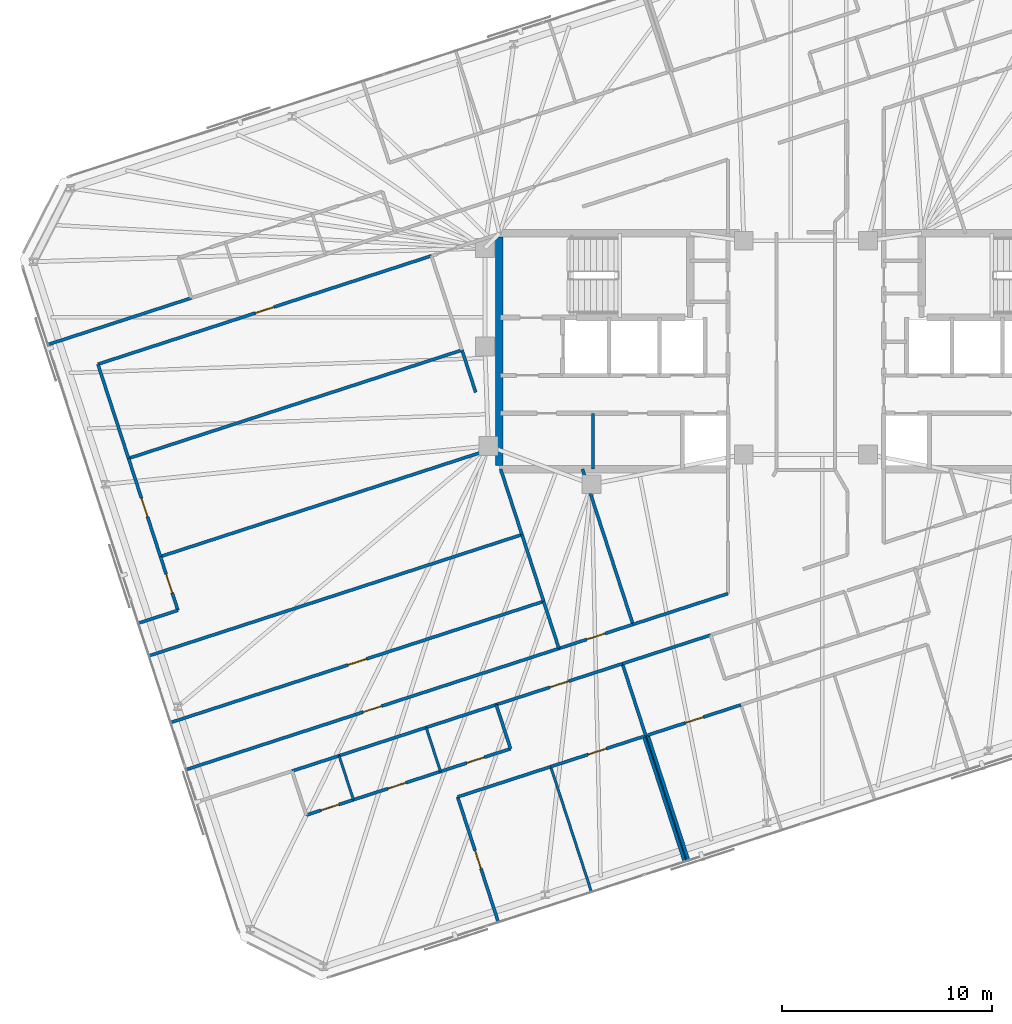
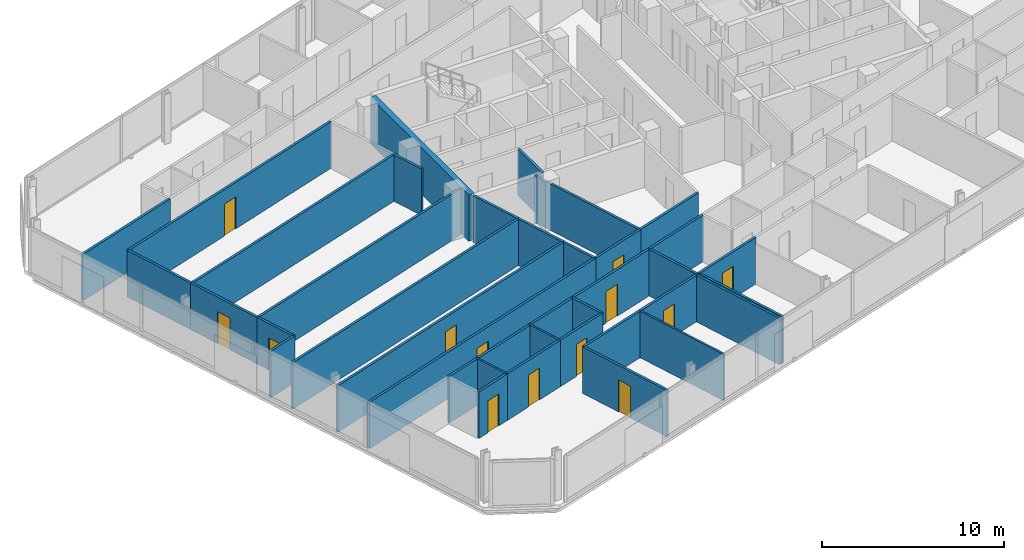
# One storey, part 13 of 20: 39 walls, 13 doors, 13 openings.
"""IFC4 building model written with IfcOpenShell, lengths in metres."""

import ifcopenshell
import ifcopenshell.guid

model = None  # the IFC model being written
_history = None  # IfcOwnerHistory: only IFC2X3 demands one
_inside = {}  # id of a spatial element -> (the spatial element, [elements in it])
_under = {}  # id of a project, library or spatial element -> (it, [spatial elements below it])
_declared = {}  # id of a project -> (the project, [libraries it declares])
_typed = {}  # id of a type object -> (the type object, [elements of that type])
_made_of = {}  # id of a material, layer set ... -> (it, [elements and type objects made of it])


def new_model(schema):
    """Start an empty IFC model of exactly this schema.

    Asked for "IFC4X3", IfcOpenShell would pick the latest addendum, in which some entities
    have other attributes; the version numbers below select the first issue.
    IFC2X3 requires an IfcOwnerHistory on every rooted entity: one is made here for all.
    """
    global model, _history
    if schema == "IFC4X3":
        model = ifcopenshell.file(schema_version=(4, 3, 0, 0))
    else:
        model = ifcopenshell.file(schema=schema)
    _inside.clear()
    _under.clear()
    _declared.clear()
    _typed.clear()
    _made_of.clear()
    _history = None
    if model.schema == "IFC2X3":
        org = make("IfcOrganization", Name="unknown")
        user = make(
            "IfcPersonAndOrganization",
            ThePerson=make("IfcPerson", FamilyName="unknown"),
            TheOrganization=org,
        )
        app = make(
            "IfcApplication",
            ApplicationDeveloper=org,
            Version="unknown",
            ApplicationFullName="unknown",
            ApplicationIdentifier="unknown",
        )
        _history = make(
            "IfcOwnerHistory",
            OwningUser=user,
            OwningApplication=app,
            ChangeAction="ADDED",
            CreationDate=0,
        )
    return model


def make(cls, **values):
    """One entity of the class cls with the attributes given. An attribute that is None is left unset."""
    return model.create_entity(
        cls, **{name: value for name, value in values.items() if value is not None}
    )


def rooted(cls, **values):
    """An entity with a GlobalId (a new one), such as an element, a storey or a relation."""
    return make(cls, GlobalId=ifcopenshell.guid.new(), OwnerHistory=_history, **values)


def si_unit(unit_type, name, prefix=None):
    """IfcSIUnit, for example si_unit("LENGTHUNIT", "METRE", prefix="MILLI")."""
    return make("IfcSIUnit", UnitType=unit_type, Prefix=prefix, Name=name)


def assignment(units):
    """IfcUnitAssignment: the units of a project."""
    return None if units is None else make("IfcUnitAssignment", Units=units)


def point(xyz):
    """IfcCartesianPoint."""
    return None if xyz is None else make("IfcCartesianPoint", Coordinates=xyz)


def direction(xyz):
    """IfcDirection."""
    return None if xyz is None else make("IfcDirection", DirectionRatios=xyz)


def frame(location, z_axis=None, x_axis=None):
    """IfcAxis2Placement3D, a coordinate frame: its origin and axes. An axis left out is left unset."""
    return make(
        "IfcAxis2Placement3D",
        Location=point(location),
        Axis=direction(z_axis),
        RefDirection=direction(x_axis),
    )


def frame_2d(location, x_axis=None):
    """IfcAxis2Placement2D, a coordinate frame in the plane: its origin and x axis."""
    return make(
        "IfcAxis2Placement2D", Location=point(location), RefDirection=direction(x_axis)
    )


def origin():
    """The frame at (0, 0, 0) with its axes left unset."""
    return frame((0.0, 0.0, 0.0))


def place(relative_to, where):
    """IfcLocalPlacement: puts the frame where relative to a parent placement (None: the world)."""
    return make(
        "IfcLocalPlacement", PlacementRelTo=relative_to, RelativePlacement=where
    )


def context(
    kind, dimensions, precision=None, world=None, true_north=None, identifier=None
):
    """IfcGeometricRepresentationContext, for example the 3D "Model" context."""
    return make(
        "IfcGeometricRepresentationContext",
        ContextIdentifier=identifier,
        ContextType=kind,
        CoordinateSpaceDimension=dimensions,
        Precision=precision,
        WorldCoordinateSystem=world,
        TrueNorth=true_north,
    )


def subcontext(parent, identifier, kind, view, scale=None):
    """IfcGeometricRepresentationSubContext, for example "Body" below "Model"."""
    return make(
        "IfcGeometricRepresentationSubContext",
        ContextIdentifier=identifier,
        ContextType=kind,
        ParentContext=parent,
        TargetScale=scale,
        TargetView=view,
    )


def project(units=None, contexts=None):
    """IfcProject with its units and contexts."""
    return rooted(
        "IfcProject",
        Name="project",
        RepresentationContexts=contexts,
        UnitsInContext=assignment(units),
    )


def spatial(cls, under=None, at=None, **own):
    """A site, building, storey or space (cls), placed at a placement, below another one or the project."""
    s = rooted(cls, ObjectPlacement=at, **own)
    if under is not None:
        _under.setdefault(under.id(), (under, []))[1].append(s)
    return s


def profile(cls, at=None, kind="AREA", **sizes):
    """A parametric profile (cls). Its sizes go by their IFC names, for example OverallWidth=200.0."""
    return make(cls, ProfileType=kind, Position=at, **sizes)


def rectangle(**sizes):
    """IfcRectangleProfileDef."""
    return profile("IfcRectangleProfileDef", **sizes)


def extrude(swept, where, along, depth):
    """IfcExtrudedAreaSolid: the profile swept, set in the frame where, extruded along a direction by depth."""
    return make(
        "IfcExtrudedAreaSolid",
        SweptArea=swept,
        Position=where,
        ExtrudedDirection=direction(along),
        Depth=depth,
    )


def shape(context_of_items, identifier, shape_type, items):
    """IfcShapeRepresentation: the items that make up one representation, for example the "Body"."""
    return make(
        "IfcShapeRepresentation",
        ContextOfItems=context_of_items,
        RepresentationIdentifier=identifier,
        RepresentationType=shape_type,
        Items=items,
    )


def material(Name=None, Category=None):
    """IfcMaterial."""
    return make("IfcMaterial", Name=Name, Category=Category)


def layer(
    of_material, thickness, ventilated=None, Name=None, Category=None, Priority=None
):
    """IfcMaterialLayer: one layer of a wall or slab, of a material (None: an air gap)."""
    return make(
        "IfcMaterialLayer",
        Material=of_material,
        LayerThickness=thickness,
        IsVentilated=ventilated,
        Name=Name,
        Category=Category,
        Priority=Priority,
    )


def layer_set(layers, Name=None):
    """IfcMaterialLayerSet."""
    return make("IfcMaterialLayerSet", MaterialLayers=layers, LayerSetName=Name)


def made_of(thing, what):
    """Note that an element or type object is made of a material, layer set ...; save() writes the relation."""
    if what is not None:
        _made_of.setdefault(what.id(), (what, []))[1].append(thing)
    return thing


def type_object(cls, material=None, **own):
    """A type object (cls), such as IfcWallType, which elements share."""
    return made_of(rooted(cls, **own), material)


def element(
    cls,
    number,
    at=None,
    inside=None,
    cuts=None,
    type_object=None,
    material=None,
    context=None,
    identifier="Body",
    shape_type=None,
    held_by="IfcProductDefinitionShape",
    body=None,
    shapes=None,
    **own,
):
    """One element of the class cls, such as IfcWall. Its Tag is "e" and its number.

    at: its placement. inside: the storey or other place that contains it. cuts: it is an
    opening in that element (IfcRelVoidsElement). A single representation is given by context,
    identifier, shape_type and body (its items); several are given by shapes. held_by: the class
    of the entity that holds the representations. save() writes the other relations.
    """
    e = rooted(cls, Tag="e%d" % number, ObjectPlacement=at, **own)
    if body is not None:
        shapes = [shape(context, identifier, shape_type, body)]
    if shapes is not None:
        e.Representation = make(held_by, Representations=shapes)
    if inside is not None:
        _inside.setdefault(inside.id(), (inside, []))[1].append(e)
    if cuts is not None:
        rooted(
            "IfcRelVoidsElement", RelatingBuildingElement=cuts, RelatedOpeningElement=e
        )
    if type_object is not None:
        _typed.setdefault(type_object.id(), (type_object, []))[1].append(e)
    return made_of(e, material)


def fill(opening, filler):
    """IfcRelFillsElement: the door or window that sits in an opening."""
    return rooted(
        "IfcRelFillsElement",
        RelatingOpeningElement=opening,
        RelatedBuildingElement=filler,
    )


def aggregate(whole, parts):
    """IfcRelAggregates: a whole, such as a stair, and the parts it consists of."""
    return rooted("IfcRelAggregates", RelatingObject=whole, RelatedObjects=parts)


def save(model, path):
    """Write the relations noted so far, then the file.

    IfcRelAggregates (storeys below a building ...), IfcRelContainedInSpatialStructure (elements
    in a storey), IfcRelDefinesByType, IfcRelAssociatesMaterial and IfcRelDeclares: one each for
    every whole, place, type object, material and project.
    """
    for whole, parts in _under.values():
        aggregate(whole, parts)
    for where, things in _inside.values():
        rooted(
            "IfcRelContainedInSpatialStructure",
            RelatedElements=things,
            RelatingStructure=where,
        )
    for kind, things in _typed.values():
        rooted("IfcRelDefinesByType", RelatedObjects=things, RelatingType=kind)
    for what, things in _made_of.values():
        rooted("IfcRelAssociatesMaterial", RelatedObjects=things, RelatingMaterial=what)
    for by, libraries in _declared.values():
        rooted("IfcRelDeclares", RelatingContext=by, RelatedDefinitions=libraries)
    model.write(path)


model = new_model("IFC4")

# Units and contexts
model_context = context("Model", 3, precision=1e-05, world=origin(), true_north=direction((0.0, 1.0)))
body_context = subcontext(model_context, "Body", "Model", "MODEL_VIEW")
ifc_project = project(units=[si_unit("LENGTHUNIT", "METRE"), si_unit("AREAUNIT", "SQUARE_METRE"), si_unit("VOLUMEUNIT", "CUBIC_METRE"), si_unit("PLANEANGLEUNIT", "RADIAN"), si_unit("MASSUNIT", "GRAM", prefix="KILO")], contexts=[model_context])

# Site, building, storey
site_placement = place(None, origin())
site = spatial("IfcSite", under=ifc_project, at=site_placement, CompositionType="ELEMENT")
building_placement = place(site_placement, origin())
building = spatial("IfcBuilding", under=site, at=building_placement, Name="Menara Jurai Vektor", CompositionType="ELEMENT")
storey_placement = place(building_placement, frame((0.0, 0.0, 247.75)))
storey = spatial("IfcBuildingStorey", under=building, at=storey_placement, Name="L66", CompositionType="ELEMENT", Elevation=247.75)

# Walls
ifc_material_1 = material(Name="Gypsum Fireboard Partition", Category="gypsum")
ifc_layer_1 = layer(ifc_material_1, 0.14990234375)
ifc_layer_set_1 = layer_set([ifc_layer_1], Name="Gypsum Fireboard Partition")
wall_type_1 = type_object("IfcWallType", Name="INT-WALL-CORR-150", PredefinedType="PARTITIONING", material=ifc_layer_set_1)
wall_1_placement = place(storey_placement, frame((-10.1201171875, -5.60009765625, 0.0), z_axis=(0.0, 0.0, 1.0), x_axis=(0.0, 1.0, 0.0)))
element("IfcWall", 1, at=wall_1_placement, inside=storey, type_object=wall_type_1, Name="Interior Wall IW-150 L66", PredefinedType="PARTITIONING", context=body_context, shape_type="SweptSolid", body=[
    extrude(rectangle(XDim=2.650146484375, YDim=0.14990234375, at=frame_2d((1.3251953125, 0.0))), origin(), (0.0, 0.0, 1.0), 3.125),
])
wall_2_placement = place(storey_placement, frame((-36.01220703125, 0.314208984375, 0.0), z_axis=(0.0, 0.0, 1.0), x_axis=(0.951054850325, 0.309022121658, 0.0)))
element("IfcWall", 2, at=wall_2_placement, inside=storey, type_object=wall_type_1, Name="Interior Wall IW-150 L66", PredefinedType="PARTITIONING", context=body_context, shape_type="SweptSolid", body=[
    extrude(rectangle(XDim=7.164794921875, YDim=0.14990234375, at=frame_2d((3.58251953125, 0.0))), origin(), (0.0, 0.0, 1.0), 3.125),
])

# Wall, opening, door
wall_3_placement = place(storey_placement, frame((-14.708740234375, -16.794189453125, 0.0), z_axis=(0.0, 0.0, 1.0), x_axis=(0.951050295235, 0.309036140172, 0.0)))
wall_3 = element("IfcWall", 3, at=wall_3_placement, inside=storey, type_object=wall_type_1, Name="Interior Wall IW-150 L66", PredefinedType="PARTITIONING", context=body_context, shape_type="SweptSolid", body=[
    extrude(rectangle(XDim=6.302001953125, YDim=0.14990234375, at=frame_2d((3.15087890625, 0.0))), origin(), (0.0, 0.0, 1.0), 3.125),
])
opening_1_placement = place(wall_3_placement, frame((2.676025390625, 0.0, 0.0)))
opening_1 = element("IfcOpeningElement", 4, at=opening_1_placement, cuts=wall_3, Name="Opening D66-23", PredefinedType="OPENING", context=body_context, shape_type="SweptSolid", body=[
    extrude(rectangle(XDim=0.949951171875, YDim=2.14990234375, at=frame_2d((0.47509765625, 1.074951171875))), frame((0.0, 0.0849609375, 0.0), z_axis=(0.0, -1.0, 0.0), x_axis=(1.0, 0.0, 0.0)), (0.0, 0.0, 1.0), 0.169921875),
])
ifc_material_2 = material(Name="Solid Core Timber Fire Door", Category="wood")
door_type_1 = type_object("IfcDoorType", Name="DR-ENTRY-950", OperationType="NOTDEFINED", PredefinedType="DOOR", material=ifc_material_2)
door_1_placement = place(opening_1_placement, origin())
door_1 = element("IfcDoor", 5, at=door_1_placement, inside=storey, type_object=door_type_1, Name="Interior Door D66-23", OperationType="SINGLE_SWING_LEFT", OverallHeight=2.14990234375, OverallWidth=0.949951171875, PredefinedType="DOOR", context=body_context, shape_type="SweptSolid", body=[
    extrude(rectangle(XDim=0.949951171875, YDim=2.14990234375, at=frame_2d((0.47509765625, 1.074951171875))), frame((0.0, 0.02490234375, 0.0), z_axis=(0.0, -1.0, 0.0), x_axis=(1.0, 0.0, 0.0)), (0.0, 0.0, 1.0), 0.050048828125),
])
fill(opening_1, door_1)

# Walls
wall_4_placement = place(storey_placement, frame((-24.40966796875, -19.946044921875, 0.0), z_axis=(0.0, 0.0, 1.0), x_axis=(0.951076048914, 0.308956872689, 0.0)))
element("IfcWall", 6, at=wall_4_placement, inside=storey, type_object=wall_type_1, Name="Interior Wall IW-150 L66", PredefinedType="PARTITIONING", context=body_context, shape_type="SweptSolid", body=[
    extrude(rectangle(XDim=2.35009765625, YDim=0.14990234375, at=frame_2d((1.175048828125, 0.0))), origin(), (0.0, 0.0, 1.0), 3.125),
])
wall_5_placement = place(storey_placement, frame((-22.174560546875, -19.219970703125, 0.0), z_axis=(0.0, 0.0, 1.0), x_axis=(0.951052627573, 0.309028962374, 0.0)))
element("IfcWall", 7, at=wall_5_placement, inside=storey, type_object=wall_type_1, Name="Interior Wall IW-150 L66", PredefinedType="PARTITIONING", context=body_context, shape_type="SweptSolid", body=[
    extrude(rectangle(XDim=4.349853515625, YDim=0.14990234375, at=frame_2d((2.1748046875, 0.0))), origin(), (0.0, 0.0, 1.0), 3.125),
])
wall_6_placement = place(storey_placement, frame((-18.03759765625, -17.875732421875, 0.0), z_axis=(0.0, 0.0, 1.0), x_axis=(0.951062257173, 0.308999325213, 0.0)))
element("IfcWall", 8, at=wall_6_placement, inside=storey, type_object=wall_type_1, Name="Interior Wall IW-150 L66", PredefinedType="PARTITIONING", context=body_context, shape_type="SweptSolid", body=[
    extrude(rectangle(XDim=3.500244140625, YDim=0.14990234375, at=frame_2d((1.75, 0.0))), origin(), (0.0, 0.0, 1.0), 3.125),
])
wall_7_placement = place(storey_placement, frame((-8.71533203125, -14.8466796875, 0.0), z_axis=(0.0, 0.0, 1.0), x_axis=(0.951061767293, 0.309000832997, 0.0)))
element("IfcWall", 9, at=wall_7_placement, inside=storey, type_object=wall_type_1, Name="Interior Wall IW-150 L66", PredefinedType="PARTITIONING", context=body_context, shape_type="SweptSolid", body=[
    extrude(rectangle(XDim=4.404052734375, YDim=0.14990234375, at=frame_2d((2.2021484375, 0.0))), origin(), (0.0, 0.0, 1.0), 3.125),
])

# Wall, opening, door
wall_8_placement = place(storey_placement, frame((-29.450439453125, -19.880615234375, 0.0), z_axis=(0.0, 0.0, 1.0), x_axis=(0.95105650271, 0.309017036186, 0.0)))
wall_8 = element("IfcWall", 10, at=wall_8_placement, inside=storey, type_object=wall_type_1, Name="Interior Wall IW-150 L66", PredefinedType="PARTITIONING", context=body_context, shape_type="SweptSolid", body=[
    extrude(rectangle(XDim=18.6318359375, YDim=0.14990234375, at=frame_2d((9.31591796875, 0.0))), origin(), (0.0, 0.0, 1.0), 3.125),
])
opening_2_placement = place(wall_8_placement, frame((8.85595703125, 0.0, 0.0)))
opening_2 = element("IfcOpeningElement", 11, at=opening_2_placement, cuts=wall_8, Name="Opening D66-42", PredefinedType="OPENING", context=body_context, shape_type="SweptSolid", body=[
    extrude(rectangle(XDim=0.919921875, YDim=2.14990234375, at=frame_2d((0.4599609375, 1.074951171875))), frame((0.0, 0.0849609375, 0.0), z_axis=(0.0, -1.0, 0.0), x_axis=(1.0, 0.0, 0.0)), (0.0, 0.0, 1.0), 0.169921875),
])
door_2_placement = place(opening_2_placement, origin())
door_2 = element("IfcDoor", 12, at=door_2_placement, inside=storey, type_object=door_type_1, Name="Interior Door D66-42", OperationType="SINGLE_SWING_RIGHT", OverallHeight=2.14990234375, OverallWidth=0.919921875, PredefinedType="DOOR", context=body_context, shape_type="SweptSolid", body=[
    extrude(rectangle(XDim=0.919921875, YDim=2.14990234375, at=frame_2d((0.4599609375, 1.074951171875))), frame((0.0, 0.02490234375, 0.0), z_axis=(0.0, -1.0, 0.0), x_axis=(1.0, 0.0, 0.0)), (0.0, 0.0, 1.0), 0.050048828125),
])
fill(opening_2, door_2)

# Wall
wall_9_placement = place(storey_placement, frame((-31.7119140625, -12.9208984375, 0.0), z_axis=(0.0, 0.0, 1.0), x_axis=(0.951054051148, 0.309024581215, 0.0)))
element("IfcWall", 13, at=wall_9_placement, inside=storey, type_object=wall_type_1, Name="Interior Wall IW-150 L66", PredefinedType="PARTITIONING", context=body_context, shape_type="SweptSolid", body=[
    extrude(rectangle(XDim=1.97509765625, YDim=0.14990234375, at=frame_2d((0.987548828125, 0.0))), origin(), (0.0, 0.0, 1.0), 3.125),
])

# Wall, opening, door
wall_10_placement = place(storey_placement, frame((-29.83349609375, -12.310546875, 0.0), z_axis=(0.0, 0.0, 1.0), x_axis=(-0.309044953986, 0.951047431213, 0.0)))
wall_10 = element("IfcWall", 14, at=wall_10_placement, inside=storey, type_object=wall_type_1, Name="Interior Wall IW-150 L66", PredefinedType="PARTITIONING", context=body_context, shape_type="SweptSolid", body=[
    extrude(rectangle(XDim=2.68505859375, YDim=0.14990234375, at=frame_2d((1.342529296875, 0.0))), origin(), (0.0, 0.0, 1.0), 3.125),
])
opening_3_placement = place(wall_10_placement, frame((0.882568359375, 0.0, 0.0)))
opening_3 = element("IfcOpeningElement", 15, at=opening_3_placement, cuts=wall_10, Name="Opening D66-44", PredefinedType="OPENING", context=body_context, shape_type="SweptSolid", body=[
    extrude(rectangle(XDim=0.919921875, YDim=2.14990234375, at=frame_2d((0.4599609375, 1.074951171875))), frame((0.0, 0.0849609375, 0.0), z_axis=(0.0, -1.0, 0.0), x_axis=(1.0, 0.0, 0.0)), (0.0, 0.0, 1.0), 0.169921875),
])
door_3_placement = place(opening_3_placement, origin())
door_3 = element("IfcDoor", 16, at=door_3_placement, inside=storey, type_object=door_type_1, Name="Interior Door D66-44", OperationType="SINGLE_SWING_RIGHT", OverallHeight=2.14990234375, OverallWidth=0.919921875, PredefinedType="DOOR", context=body_context, shape_type="SweptSolid", body=[
    extrude(rectangle(XDim=0.919921875, YDim=2.14990234375, at=frame_2d((0.4599609375, 1.074951171875))), frame((0.0, 0.02490234375, 0.0), z_axis=(0.0, -1.0, 0.0), x_axis=(1.0, 0.0, 0.0)), (0.0, 0.0, 1.0), 0.050048828125),
])
fill(opening_3, door_3)

wall_11_placement = place(storey_placement, frame((-30.663330078125, -9.7568359375, 0.0), z_axis=(0.0, 0.0, 1.0), x_axis=(-0.309019653166, 0.951055652397, 0.0)))
wall_11 = element("IfcWall", 17, at=wall_11_placement, inside=storey, type_object=wall_type_1, Name="Interior Wall IW-150 L66", PredefinedType="PARTITIONING", context=body_context, shape_type="SweptSolid", body=[
    extrude(rectangle(XDim=4.90380859375, YDim=0.14990234375, at=frame_2d((2.451904296875, 0.0))), origin(), (0.0, 0.0, 1.0), 3.125),
])
opening_4_placement = place(wall_11_placement, frame((1.991943359375, 0.0, 0.0)))
opening_4 = element("IfcOpeningElement", 18, at=opening_4_placement, cuts=wall_11, Name="Opening D66-45", PredefinedType="OPENING", context=body_context, shape_type="SweptSolid", body=[
    extrude(rectangle(XDim=0.919921875, YDim=2.14990234375, at=frame_2d((0.4599609375, 1.074951171875))), frame((0.0, 0.0849609375, 0.0), z_axis=(0.0, -1.0, 0.0), x_axis=(1.0, 0.0, 0.0)), (0.0, 0.0, 1.0), 0.169921875),
])
door_4_placement = place(opening_4_placement, origin())
door_4 = element("IfcDoor", 19, at=door_4_placement, inside=storey, type_object=door_type_1, Name="Interior Door D66-45", OperationType="SINGLE_SWING_LEFT", OverallHeight=2.14990234375, OverallWidth=0.919921875, PredefinedType="DOOR", context=body_context, shape_type="SweptSolid", body=[
    extrude(rectangle(XDim=0.919921875, YDim=2.14990234375, at=frame_2d((0.4599609375, 1.074951171875))), frame((0.0, 0.02490234375, 0.0), z_axis=(0.0, -1.0, 0.0), x_axis=(1.0, 0.0, 0.0)), (0.0, 0.0, 1.0), 0.050048828125),
])
fill(opening_4, door_4)

# Wall
wall_12_placement = place(storey_placement, frame((-32.1787109375, -5.093017578125, 0.0), z_axis=(0.0, 0.0, 1.0), x_axis=(-0.309014532869, 0.951057316083, 0.0)))
element("IfcWall", 20, at=wall_12_placement, inside=storey, type_object=wall_type_1, Name="Interior Wall IW-150 L66", PredefinedType="PARTITIONING", context=body_context, shape_type="SweptSolid", body=[
    extrude(rectangle(XDim=4.707275390625, YDim=0.14990234375, at=frame_2d((2.353515625, 0.0))), origin(), (0.0, 0.0, 1.0), 3.125),
])

# Wall, opening, door
wall_13_placement = place(storey_placement, frame((-33.63330078125, -0.6162109375, 0.0), z_axis=(0.0, 0.0, 1.0), x_axis=(0.951058192995, 0.309011833974, 0.0)))
wall_13 = element("IfcWall", 21, at=wall_13_placement, inside=storey, type_object=wall_type_1, Name="Interior Wall IW-150 L66", PredefinedType="PARTITIONING", context=body_context, shape_type="SweptSolid", body=[
    extrude(rectangle(XDim=16.656982421875, YDim=0.14990234375, at=frame_2d((8.32861328125, 0.0))), origin(), (0.0, 0.0, 1.0), 3.125),
])
opening_5_placement = place(wall_13_placement, frame((7.868408203125, 0.0, 0.0)))
opening_5 = element("IfcOpeningElement", 22, at=opening_5_placement, cuts=wall_13, Name="Opening D66-46", PredefinedType="OPENING", context=body_context, shape_type="SweptSolid", body=[
    extrude(rectangle(XDim=0.919921875, YDim=2.14990234375, at=frame_2d((0.4599609375, 1.074951171875))), frame((0.0, 0.0849609375, 0.0), z_axis=(0.0, -1.0, 0.0), x_axis=(1.0, 0.0, 0.0)), (0.0, 0.0, 1.0), 0.169921875),
])
door_5_placement = place(opening_5_placement, origin())
door_5 = element("IfcDoor", 23, at=door_5_placement, inside=storey, type_object=door_type_1, Name="Interior Door D66-46", OperationType="SINGLE_SWING_RIGHT", OverallHeight=2.14990234375, OverallWidth=0.919921875, PredefinedType="DOOR", context=body_context, shape_type="SweptSolid", body=[
    extrude(rectangle(XDim=0.919921875, YDim=2.14990234375, at=frame_2d((0.4599609375, 1.074951171875))), frame((0.0, 0.02490234375, 0.0), z_axis=(0.0, -1.0, 0.0), x_axis=(1.0, 0.0, 0.0)), (0.0, 0.0, 1.0), 0.050048828125),
])
fill(opening_5, door_5)

wall_14_placement = place(storey_placement, frame((-11.73046875, -14.123046875, 0.0), z_axis=(0.0, 0.0, 1.0), x_axis=(0.951052502763, 0.309029346483, 0.0)))
wall_14 = element("IfcWall", 24, at=wall_14_placement, inside=storey, type_object=wall_type_1, Name="Interior Wall IW-150 L66", PredefinedType="PARTITIONING", context=body_context, shape_type="SweptSolid", body=[
    extrude(rectangle(XDim=3.697998046875, YDim=0.14990234375, at=frame_2d((1.84912109375, 0.0))), origin(), (0.0, 0.0, 1.0), 3.125),
])
opening_6_placement = place(wall_14_placement, frame((1.388916015625, 0.0, 0.0)))
opening_6 = element("IfcOpeningElement", 25, at=opening_6_placement, cuts=wall_14, Name="Opening D66-51", PredefinedType="OPENING", context=body_context, shape_type="SweptSolid", body=[
    extrude(rectangle(XDim=0.919921875, YDim=2.14990234375, at=frame_2d((0.4599609375, 1.074951171875))), frame((0.0, 0.0849609375, 0.0), z_axis=(0.0, -1.0, 0.0), x_axis=(1.0, 0.0, 0.0)), (0.0, 0.0, 1.0), 0.169921875),
])
door_6_placement = place(opening_6_placement, origin())
door_6 = element("IfcDoor", 26, at=door_6_placement, inside=storey, type_object=door_type_1, Name="Interior Door D66-51", OperationType="SINGLE_SWING_LEFT", OverallHeight=2.14990234375, OverallWidth=0.919921875, PredefinedType="DOOR", context=body_context, shape_type="SweptSolid", body=[
    extrude(rectangle(XDim=0.919921875, YDim=2.14990234375, at=frame_2d((0.4599609375, 1.074951171875))), frame((0.0, 0.02490234375, 0.0), z_axis=(0.0, -1.0, 0.0), x_axis=(1.0, 0.0, 0.0)), (0.0, 0.0, 1.0), 0.050048828125),
])
fill(opening_6, door_6)

# Wall
wall_15_placement = place(storey_placement, frame((-8.21337890625, -12.980224609375, 0.0), z_axis=(0.0, 0.0, 1.0), x_axis=(0.951058260096, 0.309011627456, 0.0)))
element("IfcWall", 27, at=wall_15_placement, inside=storey, type_object=wall_type_1, Name="Interior Wall IW-150 L66", PredefinedType="PARTITIONING", context=body_context, shape_type="SweptSolid", body=[
    extrude(rectangle(XDim=4.745849609375, YDim=0.14990234375, at=frame_2d((2.373046875, 0.0))), origin(), (0.0, 0.0, 1.0), 3.125),
])

# Wall, opening, door
wall_16_placement = place(storey_placement, frame((-23.729736328125, -22.038330078125, 0.0), z_axis=(0.0, 0.0, 1.0), x_axis=(0.951066131077, 0.308987401554, 0.0)))
wall_16 = element("IfcWall", 28, at=wall_16_placement, inside=storey, type_object=wall_type_1, Name="Interior Wall IW-150 L66", PredefinedType="PARTITIONING", context=body_context, shape_type="SweptSolid", body=[
    extrude(rectangle(XDim=2.349853515625, YDim=0.14990234375, at=frame_2d((1.1748046875, 0.0))), origin(), (0.0, 0.0, 1.0), 3.125),
])
opening_7_placement = place(wall_16_placement, frame((0.735107421875, 0.0, 0.0)))
opening_7 = element("IfcOpeningElement", 29, at=opening_7_placement, cuts=wall_16, Name="Opening D66-24", PredefinedType="OPENING", context=body_context, shape_type="SweptSolid", body=[
    extrude(rectangle(XDim=0.8798828125, YDim=2.14990234375, at=frame_2d((0.43994140625, 1.074951171875))), frame((0.0, 0.0849609375, 0.0), z_axis=(0.0, -1.0, 0.0), x_axis=(1.0, 0.0, 0.0)), (0.0, 0.0, 1.0), 0.169921875),
])
ifc_material_3 = material(Name="Moisture-Resistant Timber Door", Category="wood")
door_type_2 = type_object("IfcDoorType", Name="DR-BATH-880", OperationType="NOTDEFINED", PredefinedType="DOOR", material=ifc_material_3)
door_7_placement = place(opening_7_placement, origin())
door_7 = element("IfcDoor", 30, at=door_7_placement, inside=storey, type_object=door_type_2, Name="Interior Door D66-24", OperationType="SINGLE_SWING_RIGHT", OverallHeight=2.14990234375, OverallWidth=0.8798828125, PredefinedType="DOOR", context=body_context, shape_type="SweptSolid", body=[
    extrude(rectangle(XDim=0.8798828125, YDim=2.14990234375, at=frame_2d((0.43994140625, 1.074951171875))), frame((0.0, 0.02490234375, 0.0), z_axis=(0.0, -1.0, 0.0), x_axis=(1.0, 0.0, 0.0)), (0.0, 0.0, 1.0), 0.050048828125),
])
fill(opening_7, door_7)

wall_17_placement = place(storey_placement, frame((-21.494873046875, -21.312255859375, 0.0), z_axis=(0.0, 0.0, 1.0), x_axis=(0.951057987102, 0.309012467661, 0.0)))
wall_17 = element("IfcWall", 31, at=wall_17_placement, inside=storey, type_object=wall_type_1, Name="Interior Wall IW-150 L66", PredefinedType="PARTITIONING", context=body_context, shape_type="SweptSolid", body=[
    extrude(rectangle(XDim=4.35009765625, YDim=0.14990234375, at=frame_2d((2.175048828125, 0.0))), origin(), (0.0, 0.0, 1.0), 3.125),
])
opening_8_placement = place(wall_17_placement, frame((1.72509765625, 0.0, 0.0)))
opening_8 = element("IfcOpeningElement", 32, at=opening_8_placement, cuts=wall_17, Name="Opening D66-25", PredefinedType="OPENING", context=body_context, shape_type="SweptSolid", body=[
    extrude(rectangle(XDim=0.89990234375, YDim=2.14990234375, at=frame_2d((0.449951171875, 1.074951171875))), frame((0.0, 0.0849609375, 0.0), z_axis=(0.0, -1.0, 0.0), x_axis=(1.0, 0.0, 0.0)), (0.0, 0.0, 1.0), 0.169921875),
])
ifc_material_4 = material(Name="Acoustic Timber Interior Door", Category="wood")
door_type_3 = type_object("IfcDoorType", Name="DR-ROOM-900", OperationType="NOTDEFINED", PredefinedType="DOOR", material=ifc_material_4)
door_8_placement = place(opening_8_placement, origin())
door_8 = element("IfcDoor", 33, at=door_8_placement, inside=storey, type_object=door_type_3, Name="Interior Door D66-25", OperationType="SINGLE_SWING_LEFT", OverallHeight=2.14990234375, OverallWidth=0.89990234375, PredefinedType="DOOR", context=body_context, shape_type="SweptSolid", body=[
    extrude(rectangle(XDim=0.89990234375, YDim=2.14990234375, at=frame_2d((0.449951171875, 1.074951171875))), frame((0.0, 0.02490234375, 0.0), z_axis=(0.0, -1.0, 0.0), x_axis=(1.0, 0.0, 0.0)), (0.0, 0.0, 1.0), 0.050048828125),
])
fill(opening_8, door_8)

wall_18_placement = place(storey_placement, frame((-17.357666015625, -19.968017578125, 0.0), z_axis=(0.0, 0.0, 1.0), x_axis=(0.951055596592, 0.309019824916, 0.0)))
wall_18 = element("IfcWall", 34, at=wall_18_placement, inside=storey, type_object=wall_type_1, Name="Interior Wall IW-150 L66", PredefinedType="PARTITIONING", context=body_context, shape_type="SweptSolid", body=[
    extrude(rectangle(XDim=3.5, YDim=0.14990234375, at=frame_2d((1.75, 0.0))), origin(), (0.0, 0.0, 1.0), 3.125),
])
opening_9_placement = place(wall_18_placement, frame((1.31005859375, 0.0, 0.0)))
opening_9 = element("IfcOpeningElement", 35, at=opening_9_placement, cuts=wall_18, Name="Opening D66-26", PredefinedType="OPENING", context=body_context, shape_type="SweptSolid", body=[
    extrude(rectangle(XDim=0.8798828125, YDim=2.14990234375, at=frame_2d((0.43994140625, 1.074951171875))), frame((0.0, 0.0849609375, 0.0), z_axis=(0.0, -1.0, 0.0), x_axis=(1.0, 0.0, 0.0)), (0.0, 0.0, 1.0), 0.169921875),
])
door_9_placement = place(opening_9_placement, origin())
door_9 = element("IfcDoor", 36, at=door_9_placement, inside=storey, type_object=door_type_2, Name="Interior Door D66-26", OperationType="SINGLE_SWING_RIGHT", OverallHeight=2.14990234375, OverallWidth=0.8798828125, PredefinedType="DOOR", context=body_context, shape_type="SweptSolid", body=[
    extrude(rectangle(XDim=0.8798828125, YDim=2.14990234375, at=frame_2d((0.43994140625, 1.074951171875))), frame((0.0, 0.02490234375, 0.0), z_axis=(0.0, -1.0, 0.0), x_axis=(1.0, 0.0, 0.0)), (0.0, 0.0, 1.0), 0.050048828125),
])
fill(opening_9, door_9)

# Wall
wall_19_placement = place(storey_placement, frame((-14.029052734375, -18.886474609375, 0.0), z_axis=(0.0, 0.0, 1.0), x_axis=(-0.308960600764, 0.951074837842, 0.0)))
element("IfcWall", 37, at=wall_19_placement, inside=storey, type_object=wall_type_1, Name="Interior Wall IW-150 L66", PredefinedType="PARTITIONING", context=body_context, shape_type="SweptSolid", body=[
    extrude(rectangle(XDim=2.199951171875, YDim=0.14990234375, at=frame_2d((1.10009765625, 0.0))), origin(), (0.0, 0.0, 1.0), 3.125),
])

# Wall, opening, door
wall_20_placement = place(storey_placement, frame((-14.607666015625, -27.130859375, 0.0), z_axis=(0.0, 0.0, 1.0), x_axis=(-0.309013782848, 0.951057559777, 0.0)))
wall_20 = element("IfcWall", 38, at=wall_20_placement, inside=storey, type_object=wall_type_1, Name="Interior Wall IW-150 L66", PredefinedType="PARTITIONING", context=body_context, shape_type="SweptSolid", body=[
    extrude(rectangle(XDim=6.261962890625, YDim=0.14990234375, at=frame_2d((3.130859375, 0.0))), origin(), (0.0, 0.0, 1.0), 3.125),
])
opening_10_placement = place(wall_20_placement, frame((2.680908203125, 0.0, 0.0)))
opening_10 = element("IfcOpeningElement", 39, at=opening_10_placement, cuts=wall_20, Name="Opening D66-27", PredefinedType="OPENING", context=body_context, shape_type="SweptSolid", body=[
    extrude(rectangle(XDim=0.89990234375, YDim=2.14990234375, at=frame_2d((0.449951171875, 1.074951171875))), frame((0.0, 0.0849609375, 0.0), z_axis=(0.0, -1.0, 0.0), x_axis=(1.0, 0.0, 0.0)), (0.0, 0.0, 1.0), 0.169921875),
])
door_10_placement = place(opening_10_placement, origin())
door_10 = element("IfcDoor", 40, at=door_10_placement, inside=storey, type_object=door_type_3, Name="Interior Door D66-27", OperationType="SINGLE_SWING_LEFT", OverallHeight=2.14990234375, OverallWidth=0.89990234375, PredefinedType="DOOR", context=body_context, shape_type="SweptSolid", body=[
    extrude(rectangle(XDim=0.89990234375, YDim=2.14990234375, at=frame_2d((0.449951171875, 1.074951171875))), frame((0.0, 0.02490234375, 0.0), z_axis=(0.0, -1.0, 0.0), x_axis=(1.0, 0.0, 0.0)), (0.0, 0.0, 1.0), 0.050048828125),
])
fill(opening_10, door_10)

# Wall
wall_21_placement = place(storey_placement, frame((-16.542724609375, -21.17529296875, 0.0), z_axis=(0.0, 0.0, 1.0), x_axis=(0.951050272606, 0.309036209813, 0.0)))
element("IfcWall", 41, at=wall_21_placement, inside=storey, type_object=wall_type_1, Name="Interior Wall IW-150 L66", PredefinedType="PARTITIONING", context=body_context, shape_type="SweptSolid", body=[
    extrude(rectangle(XDim=4.64990234375, YDim=0.14990234375, at=frame_2d((2.324951171875, 0.0))), origin(), (0.0, 0.0, 1.0), 3.125),
])

# Wall, opening, door
wall_22_placement = place(storey_placement, frame((-12.120361328125, -19.73828125, 0.0), z_axis=(0.0, 0.0, 1.0), x_axis=(0.951065702951, 0.308988719326, 0.0)))
wall_22 = element("IfcWall", 42, at=wall_22_placement, inside=storey, type_object=wall_type_1, Name="Interior Wall IW-150 L66", PredefinedType="PARTITIONING", context=body_context, shape_type="SweptSolid", body=[
    extrude(rectangle(XDim=4.64990234375, YDim=0.14990234375, at=frame_2d((2.324951171875, 0.0))), origin(), (0.0, 0.0, 1.0), 3.125),
])
opening_11_placement = place(wall_22_placement, frame((1.875, 0.0, 0.0)))
opening_11 = element("IfcOpeningElement", 43, at=opening_11_placement, cuts=wall_22, Name="Opening D66-28", PredefinedType="OPENING", context=body_context, shape_type="SweptSolid", body=[
    extrude(rectangle(XDim=0.89990234375, YDim=2.14990234375, at=frame_2d((0.449951171875, 1.074951171875))), frame((0.0, 0.0849609375, 0.0), z_axis=(0.0, -1.0, 0.0), x_axis=(1.0, 0.0, 0.0)), (0.0, 0.0, 1.0), 0.169921875),
])
door_11_placement = place(opening_11_placement, origin())
door_11 = element("IfcDoor", 44, at=door_11_placement, inside=storey, type_object=door_type_3, Name="Interior Door D66-28", OperationType="SINGLE_SWING_RIGHT", OverallHeight=2.14990234375, OverallWidth=0.89990234375, PredefinedType="DOOR", context=body_context, shape_type="SweptSolid", body=[
    extrude(rectangle(XDim=0.89990234375, YDim=2.14990234375, at=frame_2d((0.449951171875, 1.074951171875))), frame((0.0, 0.02490234375, 0.0), z_axis=(0.0, -1.0, 0.0), x_axis=(1.0, 0.0, 0.0)), (0.0, 0.0, 1.0), 0.050048828125),
])
fill(opening_11, door_11)

# Walls
wall_23_placement = place(storey_placement, frame((-5.7626953125, -24.2568359375, 0.0), z_axis=(0.0, 0.0, 1.0), x_axis=(-0.309060506107, 0.951042377376, 0.0)))
element("IfcWall", 45, at=wall_23_placement, inside=storey, type_object=wall_type_1, Name="Interior Wall IW-150 L66", PredefinedType="PARTITIONING", context=body_context, shape_type="SweptSolid", body=[
    extrude(rectangle(XDim=6.261962890625, YDim=0.14990234375, at=frame_2d((3.130859375, 0.0))), origin(), (0.0, 0.0, 1.0), 3.125),
])
wall_24_placement = place(storey_placement, frame((-5.667724609375, -24.22607421875, 0.0), z_axis=(0.0, 0.0, 1.0), x_axis=(-0.309022258842, 0.95105480575, 0.0)))
element("IfcWall", 46, at=wall_24_placement, inside=storey, type_object=wall_type_1, Name="Interior Wall IW-150 L66", PredefinedType="PARTITIONING", context=body_context, shape_type="SweptSolid", body=[
    extrude(rectangle(XDim=9.862060546875, YDim=0.14990234375, at=frame_2d((4.93115234375, 0.0))), origin(), (0.0, 0.0, 1.0), 3.125),
])
wall_25_placement = place(storey_placement, frame((-5.572509765625, -24.195068359375, 0.0), z_axis=(0.0, 0.0, 1.0), x_axis=(-0.309049046683, 0.951046101272, 0.0)))
element("IfcWall", 47, at=wall_25_placement, inside=storey, type_object=wall_type_1, Name="Interior Wall IW-150 L66", PredefinedType="PARTITIONING", context=body_context, shape_type="SweptSolid", body=[
    extrude(rectangle(XDim=6.26220703125, YDim=0.14990234375, at=frame_2d((3.131103515625, 0.0))), origin(), (0.0, 0.0, 1.0), 3.125),
])

# Wall, opening, door
wall_26_placement = place(storey_placement, frame((-7.5078125, -18.239501953125, 0.0), z_axis=(0.0, 0.0, 1.0), x_axis=(0.951070715387, 0.308973290646, 0.0)))
wall_26 = element("IfcWall", 48, at=wall_26_placement, inside=storey, type_object=wall_type_1, Name="Interior Wall IW-150 L66", PredefinedType="PARTITIONING", context=body_context, shape_type="SweptSolid", body=[
    extrude(rectangle(XDim=4.650146484375, YDim=0.14990234375, at=frame_2d((2.3251953125, 0.0))), origin(), (0.0, 0.0, 1.0), 3.125),
])
opening_12_placement = place(wall_26_placement, frame((1.875, 0.0, 0.0)))
opening_12 = element("IfcOpeningElement", 49, at=opening_12_placement, cuts=wall_26, Name="Opening D66-33", PredefinedType="OPENING", context=body_context, shape_type="SweptSolid", body=[
    extrude(rectangle(XDim=0.89990234375, YDim=2.14990234375, at=frame_2d((0.449951171875, 1.074951171875))), frame((0.0, 0.0849609375, 0.0), z_axis=(0.0, -1.0, 0.0), x_axis=(1.0, 0.0, 0.0)), (0.0, 0.0, 1.0), 0.169921875),
])
door_12_placement = place(opening_12_placement, origin())
door_12 = element("IfcDoor", 50, at=door_12_placement, inside=storey, type_object=door_type_3, Name="Interior Door D66-33", OperationType="SINGLE_SWING_LEFT", OverallHeight=2.14990234375, OverallWidth=0.89990234375, PredefinedType="DOOR", context=body_context, shape_type="SweptSolid", body=[
    extrude(rectangle(XDim=0.89990234375, YDim=2.14990234375, at=frame_2d((0.449951171875, 1.074951171875))), frame((0.0, 0.02490234375, 0.0), z_axis=(0.0, -1.0, 0.0), x_axis=(1.0, 0.0, 0.0)), (0.0, 0.0, 1.0), 0.050048828125),
])
fill(opening_12, door_12)

wall_27_placement = place(storey_placement, frame((-30.177978515625, -17.641845703125, 0.0), z_axis=(0.0, 0.0, 1.0), x_axis=(0.95105650271, 0.309017036186, 0.0)))
wall_27 = element("IfcWall", 51, at=wall_27_placement, inside=storey, type_object=wall_type_1, Name="Interior Wall IW-150 L66", PredefinedType="PARTITIONING", context=body_context, shape_type="SweptSolid", body=[
    extrude(rectangle(XDim=18.6318359375, YDim=0.14990234375, at=frame_2d((9.31591796875, 0.0))), origin(), (0.0, 0.0, 1.0), 3.125),
])
opening_13_placement = place(wall_27_placement, frame((8.85595703125, 0.0, 0.0)))
opening_13 = element("IfcOpeningElement", 52, at=opening_13_placement, cuts=wall_27, Name="Opening D66-43", PredefinedType="OPENING", context=body_context, shape_type="SweptSolid", body=[
    extrude(rectangle(XDim=0.919921875, YDim=2.14990234375, at=frame_2d((0.4599609375, 1.074951171875))), frame((0.0, 0.0849609375, 0.0), z_axis=(0.0, -1.0, 0.0), x_axis=(1.0, 0.0, 0.0)), (0.0, 0.0, 1.0), 0.169921875),
])
door_13_placement = place(opening_13_placement, origin())
door_13 = element("IfcDoor", 53, at=door_13_placement, inside=storey, type_object=door_type_1, Name="Interior Door D66-43", OperationType="SINGLE_SWING_LEFT", OverallHeight=2.14990234375, OverallWidth=0.919921875, PredefinedType="DOOR", context=body_context, shape_type="SweptSolid", body=[
    extrude(rectangle(XDim=0.919921875, YDim=2.14990234375, at=frame_2d((0.4599609375, 1.074951171875))), frame((0.0, 0.02490234375, 0.0), z_axis=(0.0, -1.0, 0.0), x_axis=(1.0, 0.0, 0.0)), (0.0, 0.0, 1.0), 0.050048828125),
])
fill(opening_13, door_13)

# Walls
wall_28_placement = place(storey_placement, frame((-11.73046875, -14.123046875, 0.0), z_axis=(0.0, 0.0, 1.0), x_axis=(-0.309062621189, 0.951041690035, 0.0)))
element("IfcWall", 54, at=wall_28_placement, inside=storey, type_object=wall_type_1, Name="Interior Wall IW-150 L66", PredefinedType="PARTITIONING", context=body_context, shape_type="SweptSolid", body=[
    extrude(rectangle(XDim=2.35400390625, YDim=0.14990234375, at=frame_2d((1.177001953125, 0.0))), origin(), (0.0, 0.0, 1.0), 3.125),
])
wall_29_placement = place(storey_placement, frame((-31.208251953125, -14.470947265625, 0.0), z_axis=(0.0, 0.0, 1.0), x_axis=(0.951057753948, 0.309013185244, 0.0)))
element("IfcWall", 55, at=wall_29_placement, inside=storey, type_object=wall_type_1, Name="Interior Wall IW-150 L66", PredefinedType="PARTITIONING", context=body_context, shape_type="SweptSolid", body=[
    extrude(rectangle(XDim=18.632080078125, YDim=0.14990234375, at=frame_2d((9.31591796875, 0.0))), origin(), (0.0, 0.0, 1.0), 3.125),
])
wall_30_placement = place(storey_placement, frame((-12.4580078125, -11.88427734375, 0.0), z_axis=(0.0, 0.0, 1.0), x_axis=(-0.308946982245, 0.951079261766, 0.0)))
element("IfcWall", 56, at=wall_30_placement, inside=storey, type_object=wall_type_1, Name="Interior Wall IW-150 L66", PredefinedType="PARTITIONING", context=body_context, shape_type="SweptSolid", body=[
    extrude(rectangle(XDim=3.333984375, YDim=0.14990234375, at=frame_2d((1.6669921875, 0.0))), origin(), (0.0, 0.0, 1.0), 3.125),
])
wall_31_placement = place(storey_placement, frame((-30.663330078125, -9.7568359375, 0.0), z_axis=(0.0, 0.0, 1.0), x_axis=(0.951058192995, 0.309011833974, 0.0)))
element("IfcWall", 57, at=wall_31_placement, inside=storey, type_object=wall_type_1, Name="Interior Wall IW-150 L66", PredefinedType="PARTITIONING", context=body_context, shape_type="SweptSolid", body=[
    extrude(rectangle(XDim=16.656982421875, YDim=0.14990234375, at=frame_2d((8.32861328125, 0.0))), origin(), (0.0, 0.0, 1.0), 3.125),
])
wall_32_placement = place(storey_placement, frame((-13.488037109375, -8.71337890625, 0.0), z_axis=(0.0, 0.0, 1.0), x_axis=(-0.309082700143, 0.951035164687, 0.0)))
element("IfcWall", 58, at=wall_32_placement, inside=storey, type_object=wall_type_1, Name="Interior Wall IW-150 L66", PredefinedType="PARTITIONING", context=body_context, shape_type="SweptSolid", body=[
    extrude(rectangle(XDim=3.274169921875, YDim=0.14990234375, at=frame_2d((1.63720703125, 0.0))), origin(), (0.0, 0.0, 1.0), 3.125),
])
wall_33_placement = place(storey_placement, frame((-32.1787109375, -5.093017578125, 0.0), z_axis=(0.0, 0.0, 1.0), x_axis=(0.951053885426, 0.309025091239, 0.0)))
element("IfcWall", 59, at=wall_33_placement, inside=storey, type_object=wall_type_1, Name="Interior Wall IW-150 L66", PredefinedType="PARTITIONING", context=body_context, shape_type="SweptSolid", body=[
    extrude(rectangle(XDim=16.656982421875, YDim=0.14990234375, at=frame_2d((8.32861328125, 0.0))), origin(), (0.0, 0.0, 1.0), 3.125),
])
wall_34_placement = place(storey_placement, frame((-15.68505859375, -1.952392578125, 0.0), z_axis=(0.0, 0.0, 1.0), x_axis=(-0.308929092959, 0.951085072706, 0.0)))
element("IfcWall", 60, at=wall_34_placement, inside=storey, type_object=wall_type_1, Name="Interior Wall IW-150 L66", PredefinedType="PARTITIONING", context=body_context, shape_type="SweptSolid", body=[
    extrude(rectangle(XDim=2.110107421875, YDim=0.14990234375, at=frame_2d((1.05517578125, 0.0))), origin(), (0.0, 0.0, 1.0), 3.125),
])
wall_35_placement = place(storey_placement, frame((-8.21337890625, -12.980224609375, 0.0), z_axis=(0.0, 0.0, 1.0), x_axis=(-0.309017065592, 0.951056493155, 0.0)))
element("IfcWall", 61, at=wall_35_placement, inside=storey, type_object=wall_type_1, Name="Interior Wall IW-150 L66", PredefinedType="PARTITIONING", context=body_context, shape_type="SweptSolid", body=[
    extrude(rectangle(XDim=7.760009765625, YDim=0.14990234375, at=frame_2d((3.8798828125, 0.0))), origin(), (0.0, 0.0, 1.0), 3.125),
])
ifc_material_5 = material(Name="Gypsum Acoustic Stud Partition", Category="gypsum")
ifc_layer_2 = layer(ifc_material_5, 0.1201171875)
ifc_layer_set_2 = layer_set([ifc_layer_2], Name="Gypsum Acoustic Stud Partition")
wall_type_2 = type_object("IfcWallType", Name="INT-WALL-PART-120", PredefinedType="PARTITIONING", material=ifc_layer_set_2)
for number, where, z_axis, x_axis, name in (
    (62, (-21.494873046875, -21.312255859375, 0.0), (0.0, 0.0, 1.0), (-0.308960600764, 0.951074837842, 0.0), "Interior Wall IW-120 L66"),
    (63, (-17.357666015625, -19.968017578125, 0.0), (0.0, 0.0, 1.0), (-0.309060979314, 0.951042223598, 0.0), "Interior Wall IW-120 L66"),
):
    element("IfcWall", number, at=place(storey_placement, frame(where, z_axis=z_axis, x_axis=x_axis)), inside=storey, type_object=wall_type_2, Name=name, PredefinedType="PARTITIONING", context=body_context, shape_type="SweptSolid", body=[
        extrude(rectangle(XDim=2.199951171875, YDim=0.1201171875, at=frame_2d((1.10009765625, 0.0))), origin(), (0.0, 0.0, 1.0), 3.125),
    ])
wall_36_placement = place(storey_placement, frame((-10.185302734375, -25.69384765625, 0.0), z_axis=(0.0, 0.0, 1.0), x_axis=(-0.309013782848, 0.951057559777, 0.0)))
element("IfcWall", 64, at=wall_36_placement, inside=storey, type_object=wall_type_2, Name="Interior Wall IW-120 L66", PredefinedType="PARTITIONING", context=body_context, shape_type="SweptSolid", body=[
    extrude(rectangle(XDim=6.261962890625, YDim=0.1201171875, at=frame_2d((3.130859375, 0.0))), origin(), (0.0, 0.0, 1.0), 3.125),
])
ifc_material_6 = material(Name="Concrete C50/60", Category="concrete")
ifc_layer_3 = layer(ifc_material_6, 0.35009765625)
ifc_layer_set_3 = layer_set([ifc_layer_3], Name="Concrete C50/60")
wall_type_3 = type_object("IfcWallType", Name="STR-WALL-CORE350", PredefinedType="SHEAR", material=ifc_layer_set_3)
wall_37_placement = place(storey_placement, frame((-14.56005859375, -5.425048828125, 0.0), z_axis=(0.0, 0.0, 1.0), x_axis=(0.0, 1.0, 0.0)))
element("IfcWall", 65, at=wall_37_placement, inside=storey, type_object=wall_type_3, Name="Core Shear Wall CW-W-W L66", PredefinedType="SHEAR", context=body_context, shape_type="SweptSolid", body=[
    extrude(rectangle(XDim=10.85009765625, YDim=0.35009765625, at=frame_2d((5.425048828125, 0.0))), origin(), (0.0, 0.0, 1.0), 3.125),
])

save(model, "model.ifc")
